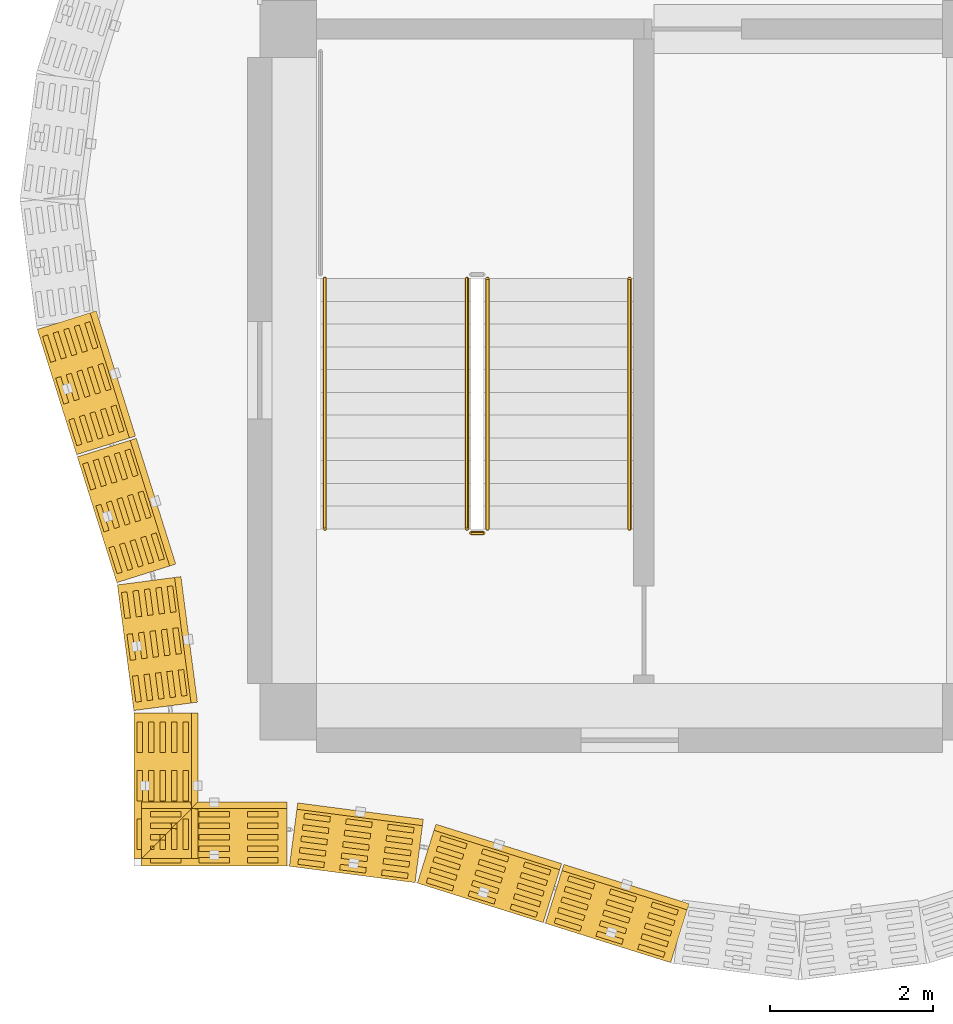
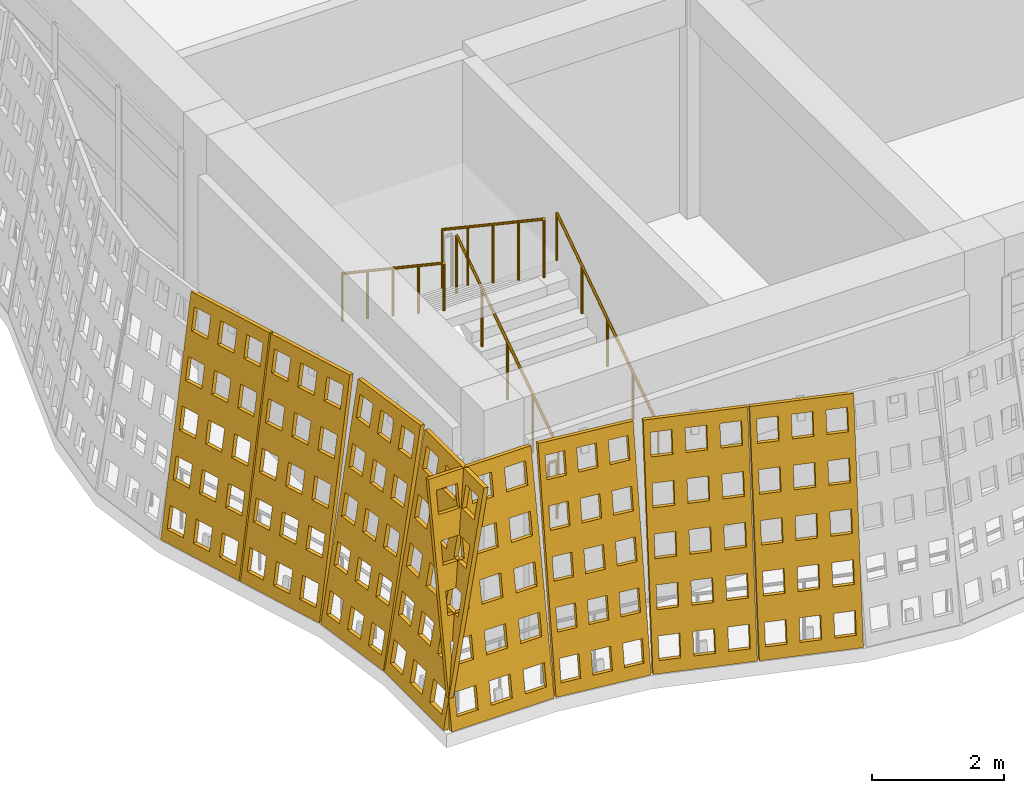
# One storey, part 113 of 162: 8 coverings, 5 railings.
"""IFC4 building model written with IfcOpenShell, lengths in metres."""

from ifc_helpers import new_model, si_unit, direction, frame, origin, origin_2d, place, context, subcontext, project, spatial, polyline, circle, outline, extrude, material, layer, layer_set, type_object, element, save


model = new_model("IFC4")

# Units and contexts
model_context = context("Model", 3, precision=1e-05, world=origin(), true_north=direction((0.0, 1.0)))
body_context = subcontext(model_context, "Body", "Model", "MODEL_VIEW")
ifc_project = project(units=[si_unit("LENGTHUNIT", "METRE"), si_unit("AREAUNIT", "SQUARE_METRE"), si_unit("VOLUMEUNIT", "CUBIC_METRE"), si_unit("PLANEANGLEUNIT", "RADIAN"), si_unit("MASSUNIT", "GRAM", prefix="KILO")], contexts=[model_context])

# Site, building, storey
site_placement = place(None, origin())
site = spatial("IfcSite", under=ifc_project, at=site_placement, CompositionType="ELEMENT")
building_placement = place(site_placement, origin())
building = spatial("IfcBuilding", under=site, at=building_placement, Name="Rain Tree Exposition and Congress Centre", CompositionType="ELEMENT")
storey_placement = place(building_placement, frame((0.0, 0.0, 6.0)))
storey = spatial("IfcBuildingStorey", under=building, at=storey_placement, Name="L01", CompositionType="ELEMENT", Elevation=6.0)

# Coverings
ifc_material_1 = material(Name="Perforated terracotta", Category="masonry")
ifc_layer = layer(ifc_material_1, 0.080078125)
ifc_layer_set = layer_set([ifc_layer], Name="Perforated terracotta")
covering_type = type_object("IfcCoveringType", Name="Terracotta screen 80", PredefinedType="CLADDING", material=ifc_layer_set)
covering_1_placement = place(storey_placement, frame((0.000244140625, -1.898193359375, 0.01318359375), z_axis=(0.127967328105, 0.978036007662, -0.16452942185), x_axis=(-0.991548658387, 0.129735338481, 0.0)))
element("IfcCovering", 1, at=covering_1_placement, inside=storey, type_object=covering_type, Name="wing/screen/L01/001", PredefinedType="CLADDING", context=body_context, shape_type="SweptSolid", body=[
    extrude(outline(polyline([(-1.5732421875, 0.0), (-1.5732421875, 4.295166015625), (-0.014892578125, 4.295166015625), (-0.014892578125, 0.0), (-1.5732421875, 0.0)]), holes=[polyline([(-0.11376953125, 0.2216796875), (-0.11376953125, 0.63720703125), (-0.435791015625, 0.63720703125), (-0.435791015625, 0.2216796875), (-0.11376953125, 0.2216796875)]), polyline([(-0.11376953125, 1.080810546875), (-0.11376953125, 1.496337890625), (-0.435791015625, 1.496337890625), (-0.435791015625, 1.080810546875), (-0.11376953125, 1.080810546875)]), polyline([(-0.11376953125, 1.939697265625), (-0.11376953125, 2.35546875), (-0.435791015625, 2.35546875), (-0.435791015625, 1.939697265625), (-0.11376953125, 1.939697265625)]), polyline([(-0.11376953125, 2.798583984375), (-0.11376953125, 3.21435546875), (-0.435791015625, 3.21435546875), (-0.435791015625, 2.798583984375), (-0.11376953125, 2.798583984375)]), polyline([(-0.11376953125, 3.65771484375), (-0.11376953125, 4.073486328125), (-0.435791015625, 4.073486328125), (-0.435791015625, 3.65771484375), (-0.11376953125, 3.65771484375)]), polyline([(-0.633056640625, 0.2216796875), (-0.633056640625, 0.63720703125), (-0.955078125, 0.63720703125), (-0.955078125, 0.2216796875), (-0.633056640625, 0.2216796875)]), polyline([(-0.633056640625, 1.080810546875), (-0.633056640625, 1.496337890625), (-0.955078125, 1.496337890625), (-0.955078125, 1.080810546875), (-0.633056640625, 1.080810546875)]), polyline([(-0.633056640625, 1.939697265625), (-0.633056640625, 2.35546875), (-0.955078125, 2.35546875), (-0.955078125, 1.939697265625), (-0.633056640625, 1.939697265625)]), polyline([(-0.633056640625, 2.798583984375), (-0.633056640625, 3.21435546875), (-0.955078125, 3.21435546875), (-0.955078125, 2.798583984375), (-0.633056640625, 2.798583984375)]), polyline([(-0.633056640625, 3.65771484375), (-0.633056640625, 4.073486328125), (-0.955078125, 4.073486328125), (-0.955078125, 3.65771484375), (-0.633056640625, 3.65771484375)]), polyline([(-1.152587890625, 0.2216796875), (-1.152587890625, 0.63720703125), (-1.474609375, 0.63720703125), (-1.474609375, 0.2216796875), (-1.152587890625, 0.2216796875)]), polyline([(-1.152587890625, 1.080810546875), (-1.152587890625, 1.496337890625), (-1.474609375, 1.496337890625), (-1.474609375, 1.080810546875), (-1.152587890625, 1.080810546875)]), polyline([(-1.152587890625, 1.939697265625), (-1.152587890625, 2.35546875), (-1.474609375, 2.35546875), (-1.474609375, 1.939697265625), (-1.152587890625, 1.939697265625)]), polyline([(-1.152587890625, 2.798583984375), (-1.152587890625, 3.21435546875), (-1.474609375, 3.21435546875), (-1.474609375, 2.798583984375), (-1.152587890625, 2.798583984375)]), polyline([(-1.152587890625, 3.65771484375), (-1.152587890625, 4.073486328125), (-1.474609375, 4.073486328125), (-1.474609375, 3.65771484375), (-1.152587890625, 3.65771484375)])]), origin(), (0.0, 0.0, 1.0), 0.080078125),
])
covering_2_placement = place(storey_placement, frame((1.57568359375, -2.103515625, 0.0126953125), z_axis=(0.295717964052, 0.942029390639, -0.158529217842), x_axis=(-0.954094597562, 0.29950542383, 0.0)))
element("IfcCovering", 2, at=covering_2_placement, inside=storey, type_object=covering_type, Name="wing/screen/L01/002", PredefinedType="CLADDING", context=body_context, shape_type="SweptSolid", body=[
    extrude(outline(polyline([(-1.635986328125, 0.0), (-1.635986328125, 4.291259765625), (-0.014892578125, 4.291259765625), (-0.014892578125, 0.0), (-1.635986328125, 0.0)]), holes=[polyline([(-0.11767578125, 0.221435546875), (-0.11767578125, 0.63671875), (-0.45263671875, 0.63671875), (-0.45263671875, 0.221435546875), (-0.11767578125, 0.221435546875)]), polyline([(-0.11767578125, 1.07958984375), (-0.11767578125, 1.4951171875), (-0.45263671875, 1.4951171875), (-0.45263671875, 1.07958984375), (-0.11767578125, 1.07958984375)]), polyline([(-0.11767578125, 1.93798828125), (-0.11767578125, 2.353271484375), (-0.45263671875, 2.353271484375), (-0.45263671875, 1.93798828125), (-0.11767578125, 1.93798828125)]), polyline([(-0.11767578125, 2.796142578125), (-0.11767578125, 3.21142578125), (-0.45263671875, 3.21142578125), (-0.45263671875, 2.796142578125), (-0.11767578125, 2.796142578125)]), polyline([(-0.11767578125, 3.654541015625), (-0.11767578125, 4.06982421875), (-0.45263671875, 4.06982421875), (-0.45263671875, 3.654541015625), (-0.11767578125, 3.654541015625)]), polyline([(-0.657958984375, 0.221435546875), (-0.657958984375, 0.63671875), (-0.992919921875, 0.63671875), (-0.992919921875, 0.221435546875), (-0.657958984375, 0.221435546875)]), polyline([(-0.657958984375, 1.07958984375), (-0.657958984375, 1.4951171875), (-0.992919921875, 1.4951171875), (-0.992919921875, 1.07958984375), (-0.657958984375, 1.07958984375)]), polyline([(-0.657958984375, 1.93798828125), (-0.657958984375, 2.353271484375), (-0.992919921875, 2.353271484375), (-0.992919921875, 1.93798828125), (-0.657958984375, 1.93798828125)]), polyline([(-0.657958984375, 2.796142578125), (-0.657958984375, 3.21142578125), (-0.992919921875, 3.21142578125), (-0.992919921875, 2.796142578125), (-0.657958984375, 2.796142578125)]), polyline([(-0.657958984375, 3.654541015625), (-0.657958984375, 4.06982421875), (-0.992919921875, 4.06982421875), (-0.992919921875, 3.654541015625), (-0.657958984375, 3.654541015625)]), polyline([(-1.1982421875, 0.221435546875), (-1.1982421875, 0.63671875), (-1.533203125, 0.63671875), (-1.533203125, 0.221435546875), (-1.1982421875, 0.221435546875)]), polyline([(-1.1982421875, 1.07958984375), (-1.1982421875, 1.4951171875), (-1.533203125, 1.4951171875), (-1.533203125, 1.07958984375), (-1.1982421875, 1.07958984375)]), polyline([(-1.1982421875, 1.93798828125), (-1.1982421875, 2.353271484375), (-1.533203125, 2.353271484375), (-1.533203125, 1.93798828125), (-1.1982421875, 1.93798828125)]), polyline([(-1.1982421875, 2.796142578125), (-1.1982421875, 3.21142578125), (-1.533203125, 3.21142578125), (-1.533203125, 2.796142578125), (-1.1982421875, 2.796142578125)]), polyline([(-1.1982421875, 3.654541015625), (-1.1982421875, 4.06982421875), (-1.533203125, 4.06982421875), (-1.533203125, 3.654541015625), (-1.1982421875, 3.654541015625)])]), origin(), (0.0, 0.0, 1.0), 0.080078125),
])
covering_3_placement = place(storey_placement, frame((3.150634765625, -2.598388671875, 0.0126953125), z_axis=(0.295717964052, 0.942029390639, -0.158529217842), x_axis=(-0.954094597562, 0.29950542383, 0.0)))
element("IfcCovering", 3, at=covering_3_placement, inside=storey, type_object=covering_type, Name="wing/screen/L01/003", PredefinedType="CLADDING", context=body_context, shape_type="SweptSolid", body=[
    extrude(outline(polyline([(-1.62890625, 0.0), (-1.62890625, 4.291259765625), (-0.014892578125, 4.291259765625), (-0.014892578125, 0.0), (-1.62890625, 0.0)]), holes=[polyline([(-0.1171875, 0.221435546875), (-0.1171875, 0.63671875), (-0.45068359375, 0.63671875), (-0.45068359375, 0.221435546875), (-0.1171875, 0.221435546875)]), polyline([(-0.1171875, 1.07958984375), (-0.1171875, 1.4951171875), (-0.45068359375, 1.4951171875), (-0.45068359375, 1.07958984375), (-0.1171875, 1.07958984375)]), polyline([(-0.1171875, 1.93798828125), (-0.1171875, 2.353271484375), (-0.45068359375, 2.353271484375), (-0.45068359375, 1.93798828125), (-0.1171875, 1.93798828125)]), polyline([(-0.1171875, 2.796142578125), (-0.1171875, 3.21142578125), (-0.45068359375, 3.21142578125), (-0.45068359375, 2.796142578125), (-0.1171875, 2.796142578125)]), polyline([(-0.1171875, 3.654541015625), (-0.1171875, 4.06982421875), (-0.45068359375, 4.06982421875), (-0.45068359375, 3.654541015625), (-0.1171875, 3.654541015625)]), polyline([(-0.6552734375, 0.221435546875), (-0.6552734375, 0.63671875), (-0.98876953125, 0.63671875), (-0.98876953125, 0.221435546875), (-0.6552734375, 0.221435546875)]), polyline([(-0.6552734375, 1.07958984375), (-0.6552734375, 1.4951171875), (-0.98876953125, 1.4951171875), (-0.98876953125, 1.07958984375), (-0.6552734375, 1.07958984375)]), polyline([(-0.6552734375, 1.93798828125), (-0.6552734375, 2.353271484375), (-0.98876953125, 2.353271484375), (-0.98876953125, 1.93798828125), (-0.6552734375, 1.93798828125)]), polyline([(-0.6552734375, 2.796142578125), (-0.6552734375, 3.21142578125), (-0.98876953125, 3.21142578125), (-0.98876953125, 2.796142578125), (-0.6552734375, 2.796142578125)]), polyline([(-0.6552734375, 3.654541015625), (-0.6552734375, 4.06982421875), (-0.98876953125, 4.06982421875), (-0.98876953125, 3.654541015625), (-0.6552734375, 3.654541015625)]), polyline([(-1.193115234375, 0.221435546875), (-1.193115234375, 0.63671875), (-1.526611328125, 0.63671875), (-1.526611328125, 0.221435546875), (-1.193115234375, 0.221435546875)]), polyline([(-1.193115234375, 1.07958984375), (-1.193115234375, 1.4951171875), (-1.526611328125, 1.4951171875), (-1.526611328125, 1.07958984375), (-1.193115234375, 1.07958984375)]), polyline([(-1.193115234375, 1.93798828125), (-1.193115234375, 2.353271484375), (-1.526611328125, 2.353271484375), (-1.526611328125, 1.93798828125), (-1.193115234375, 1.93798828125)]), polyline([(-1.193115234375, 2.796142578125), (-1.193115234375, 3.21142578125), (-1.526611328125, 3.21142578125), (-1.526611328125, 2.796142578125), (-1.193115234375, 2.796142578125)]), polyline([(-1.193115234375, 3.654541015625), (-1.193115234375, 4.06982421875), (-1.526611328125, 4.06982421875), (-1.526611328125, 3.654541015625), (-1.193115234375, 3.654541015625)])]), origin(), (0.0, 0.0, 1.0), 0.080078125),
])
covering_4_placement = place(storey_placement, frame((-3.093505859375, 4.7255859375, 0.0126953125), z_axis=(0.942029390639, 0.295717964052, -0.158529217842), x_axis=(-0.29950542383, 0.954094597562, 0.0)))
element("IfcCovering", 4, at=covering_4_placement, inside=storey, type_object=covering_type, Name="wing/screen/L01/132", PredefinedType="CLADDING", context=body_context, shape_type="SweptSolid", body=[
    extrude(outline(polyline([(-1.635986328125, 0.0), (-1.635986328125, 4.291259765625), (-0.02197265625, 4.291259765625), (-0.02197265625, 0.0), (-1.635986328125, 0.0)]), holes=[polyline([(-0.124267578125, 0.221435546875), (-0.124267578125, 0.63671875), (-0.457763671875, 0.63671875), (-0.457763671875, 0.221435546875), (-0.124267578125, 0.221435546875)]), polyline([(-0.124267578125, 1.07958984375), (-0.124267578125, 1.4951171875), (-0.457763671875, 1.4951171875), (-0.457763671875, 1.07958984375), (-0.124267578125, 1.07958984375)]), polyline([(-0.124267578125, 1.93798828125), (-0.124267578125, 2.353271484375), (-0.457763671875, 2.353271484375), (-0.457763671875, 1.93798828125), (-0.124267578125, 1.93798828125)]), polyline([(-0.124267578125, 2.796142578125), (-0.124267578125, 3.21142578125), (-0.457763671875, 3.21142578125), (-0.457763671875, 2.796142578125), (-0.124267578125, 2.796142578125)]), polyline([(-0.124267578125, 3.654541015625), (-0.124267578125, 4.06982421875), (-0.457763671875, 4.06982421875), (-0.457763671875, 3.654541015625), (-0.124267578125, 3.654541015625)]), polyline([(-0.662109375, 0.221435546875), (-0.662109375, 0.63671875), (-0.995849609375, 0.63671875), (-0.995849609375, 0.221435546875), (-0.662109375, 0.221435546875)]), polyline([(-0.662109375, 1.07958984375), (-0.662109375, 1.4951171875), (-0.995849609375, 1.4951171875), (-0.995849609375, 1.07958984375), (-0.662109375, 1.07958984375)]), polyline([(-0.662109375, 1.93798828125), (-0.662109375, 2.353271484375), (-0.995849609375, 2.353271484375), (-0.995849609375, 1.93798828125), (-0.662109375, 1.93798828125)]), polyline([(-0.662109375, 2.796142578125), (-0.662109375, 3.21142578125), (-0.995849609375, 3.21142578125), (-0.995849609375, 2.796142578125), (-0.662109375, 2.796142578125)]), polyline([(-0.662109375, 3.654541015625), (-0.662109375, 4.06982421875), (-0.995849609375, 4.06982421875), (-0.995849609375, 3.654541015625), (-0.662109375, 3.654541015625)]), polyline([(-1.2001953125, 0.221435546875), (-1.2001953125, 0.63671875), (-1.53369140625, 0.63671875), (-1.53369140625, 0.221435546875), (-1.2001953125, 0.221435546875)]), polyline([(-1.2001953125, 1.07958984375), (-1.2001953125, 1.4951171875), (-1.53369140625, 1.4951171875), (-1.53369140625, 1.07958984375), (-1.2001953125, 1.07958984375)]), polyline([(-1.2001953125, 1.93798828125), (-1.2001953125, 2.353271484375), (-1.53369140625, 2.353271484375), (-1.53369140625, 1.93798828125), (-1.2001953125, 1.93798828125)]), polyline([(-1.2001953125, 2.796142578125), (-1.2001953125, 3.21142578125), (-1.53369140625, 3.21142578125), (-1.53369140625, 2.796142578125), (-1.2001953125, 2.796142578125)]), polyline([(-1.2001953125, 3.654541015625), (-1.2001953125, 4.06982421875), (-1.53369140625, 4.06982421875), (-1.53369140625, 3.654541015625), (-1.2001953125, 3.654541015625)])]), origin(), (0.0, 0.0, 1.0), 0.080078125),
])
covering_5_placement = place(storey_placement, frame((-2.598388671875, 3.150634765625, 0.0126953125), z_axis=(0.942029390639, 0.295717964052, -0.158529217842), x_axis=(-0.29950542383, 0.954094597562, 0.0)))
element("IfcCovering", 5, at=covering_5_placement, inside=storey, type_object=covering_type, Name="wing/screen/L01/133", PredefinedType="CLADDING", context=body_context, shape_type="SweptSolid", body=[
    extrude(outline(polyline([(-1.635986328125, 0.0), (-1.635986328125, 4.291259765625), (-0.014892578125, 4.291259765625), (-0.014892578125, 0.0), (-1.635986328125, 0.0)]), holes=[polyline([(-0.11767578125, 0.221435546875), (-0.11767578125, 0.63671875), (-0.45263671875, 0.63671875), (-0.45263671875, 0.221435546875), (-0.11767578125, 0.221435546875)]), polyline([(-0.11767578125, 1.07958984375), (-0.11767578125, 1.4951171875), (-0.45263671875, 1.4951171875), (-0.45263671875, 1.07958984375), (-0.11767578125, 1.07958984375)]), polyline([(-0.11767578125, 1.93798828125), (-0.11767578125, 2.353271484375), (-0.45263671875, 2.353271484375), (-0.45263671875, 1.93798828125), (-0.11767578125, 1.93798828125)]), polyline([(-0.11767578125, 2.796142578125), (-0.11767578125, 3.21142578125), (-0.45263671875, 3.21142578125), (-0.45263671875, 2.796142578125), (-0.11767578125, 2.796142578125)]), polyline([(-0.11767578125, 3.654541015625), (-0.11767578125, 4.06982421875), (-0.45263671875, 4.06982421875), (-0.45263671875, 3.654541015625), (-0.11767578125, 3.654541015625)]), polyline([(-0.657958984375, 0.221435546875), (-0.657958984375, 0.63671875), (-0.992919921875, 0.63671875), (-0.992919921875, 0.221435546875), (-0.657958984375, 0.221435546875)]), polyline([(-0.657958984375, 1.07958984375), (-0.657958984375, 1.4951171875), (-0.992919921875, 1.4951171875), (-0.992919921875, 1.07958984375), (-0.657958984375, 1.07958984375)]), polyline([(-0.657958984375, 1.93798828125), (-0.657958984375, 2.353271484375), (-0.992919921875, 2.353271484375), (-0.992919921875, 1.93798828125), (-0.657958984375, 1.93798828125)]), polyline([(-0.657958984375, 2.796142578125), (-0.657958984375, 3.21142578125), (-0.992919921875, 3.21142578125), (-0.992919921875, 2.796142578125), (-0.657958984375, 2.796142578125)]), polyline([(-0.657958984375, 3.654541015625), (-0.657958984375, 4.06982421875), (-0.992919921875, 4.06982421875), (-0.992919921875, 3.654541015625), (-0.657958984375, 3.654541015625)]), polyline([(-1.1982421875, 0.221435546875), (-1.1982421875, 0.63671875), (-1.533203125, 0.63671875), (-1.533203125, 0.221435546875), (-1.1982421875, 0.221435546875)]), polyline([(-1.1982421875, 1.07958984375), (-1.1982421875, 1.4951171875), (-1.533203125, 1.4951171875), (-1.533203125, 1.07958984375), (-1.1982421875, 1.07958984375)]), polyline([(-1.1982421875, 1.93798828125), (-1.1982421875, 2.353271484375), (-1.533203125, 2.353271484375), (-1.533203125, 1.93798828125), (-1.1982421875, 1.93798828125)]), polyline([(-1.1982421875, 2.796142578125), (-1.1982421875, 3.21142578125), (-1.533203125, 3.21142578125), (-1.533203125, 2.796142578125), (-1.1982421875, 2.796142578125)]), polyline([(-1.1982421875, 3.654541015625), (-1.1982421875, 4.06982421875), (-1.533203125, 4.06982421875), (-1.533203125, 3.654541015625), (-1.1982421875, 3.654541015625)])]), origin(), (0.0, 0.0, 1.0), 0.080078125),
])
covering_6_placement = place(storey_placement, frame((-2.10302734375, 1.5751953125, 0.01318359375), z_axis=(0.9779030419, 0.128349774249, -0.165021138321), x_axis=(-0.130133906157, 0.991496427865, 0.0)))
element("IfcCovering", 6, at=covering_6_placement, inside=storey, type_object=covering_type, Name="wing/screen/L01/134", PredefinedType="CLADDING", context=body_context, shape_type="SweptSolid", body=[
    extrude(outline(polyline([(-1.5732421875, 0.0), (-1.5732421875, 4.295166015625), (-0.014892578125, 4.295166015625), (-0.014892578125, 0.0), (-1.5732421875, 0.0)]), holes=[polyline([(-0.11376953125, 0.2216796875), (-0.11376953125, 0.63720703125), (-0.435791015625, 0.63720703125), (-0.435791015625, 0.2216796875), (-0.11376953125, 0.2216796875)]), polyline([(-0.11376953125, 1.080810546875), (-0.11376953125, 1.496337890625), (-0.435791015625, 1.496337890625), (-0.435791015625, 1.080810546875), (-0.11376953125, 1.080810546875)]), polyline([(-0.11376953125, 1.939697265625), (-0.11376953125, 2.35546875), (-0.435791015625, 2.35546875), (-0.435791015625, 1.939697265625), (-0.11376953125, 1.939697265625)]), polyline([(-0.11376953125, 2.798583984375), (-0.11376953125, 3.21435546875), (-0.435791015625, 3.21435546875), (-0.435791015625, 2.798583984375), (-0.11376953125, 2.798583984375)]), polyline([(-0.11376953125, 3.65771484375), (-0.11376953125, 4.073486328125), (-0.435791015625, 4.073486328125), (-0.435791015625, 3.65771484375), (-0.11376953125, 3.65771484375)]), polyline([(-0.633056640625, 0.2216796875), (-0.633056640625, 0.63720703125), (-0.955078125, 0.63720703125), (-0.955078125, 0.2216796875), (-0.633056640625, 0.2216796875)]), polyline([(-0.633056640625, 1.080810546875), (-0.633056640625, 1.496337890625), (-0.955078125, 1.496337890625), (-0.955078125, 1.080810546875), (-0.633056640625, 1.080810546875)]), polyline([(-0.633056640625, 1.939697265625), (-0.633056640625, 2.35546875), (-0.955078125, 2.35546875), (-0.955078125, 1.939697265625), (-0.633056640625, 1.939697265625)]), polyline([(-0.633056640625, 2.798583984375), (-0.633056640625, 3.21435546875), (-0.955078125, 3.21435546875), (-0.955078125, 2.798583984375), (-0.633056640625, 2.798583984375)]), polyline([(-0.633056640625, 3.65771484375), (-0.633056640625, 4.073486328125), (-0.955078125, 4.073486328125), (-0.955078125, 3.65771484375), (-0.633056640625, 3.65771484375)]), polyline([(-1.152587890625, 0.2216796875), (-1.152587890625, 0.63720703125), (-1.474609375, 0.63720703125), (-1.474609375, 0.2216796875), (-1.152587890625, 0.2216796875)]), polyline([(-1.152587890625, 1.080810546875), (-1.152587890625, 1.496337890625), (-1.474609375, 1.496337890625), (-1.474609375, 1.080810546875), (-1.152587890625, 1.080810546875)]), polyline([(-1.152587890625, 1.939697265625), (-1.152587890625, 2.35546875), (-1.474609375, 2.35546875), (-1.474609375, 1.939697265625), (-1.152587890625, 1.939697265625)]), polyline([(-1.152587890625, 2.798583984375), (-1.152587890625, 3.21435546875), (-1.474609375, 3.21435546875), (-1.474609375, 2.798583984375), (-1.152587890625, 2.798583984375)]), polyline([(-1.152587890625, 3.65771484375), (-1.152587890625, 4.073486328125), (-1.474609375, 4.073486328125), (-1.474609375, 3.65771484375), (-1.152587890625, 3.65771484375)])]), origin(), (0.0, 0.0, 1.0), 0.079833984375),
])
covering_7_placement = place(storey_placement, frame((-1.898193359375, 0.0, 0.01318359375), z_axis=(0.986393923832, 0.0, -0.164398987305), x_axis=(0.0, 1.0, 0.0)))
element("IfcCovering", 7, at=covering_7_placement, inside=storey, type_object=covering_type, Name="wing/screen/L01/135", PredefinedType="CLADDING", context=body_context, shape_type="SweptSolid", body=[
    extrude(outline(polyline([(-1.805419921875, 0.0), (-1.805419921875, 4.2958984375), (-0.014892578125, 4.2958984375), (-0.014892578125, 0.0), (-1.805419921875, 0.0)]), holes=[polyline([(-0.12841796875, 0.2216796875), (-0.12841796875, 0.637451171875), (-0.498291015625, 0.637451171875), (-0.498291015625, 0.2216796875), (-0.12841796875, 0.2216796875)]), polyline([(-0.12841796875, 1.080810546875), (-0.12841796875, 1.49658203125), (-0.498291015625, 1.49658203125), (-0.498291015625, 1.080810546875), (-0.12841796875, 1.080810546875)]), polyline([(-0.12841796875, 1.940185546875), (-0.12841796875, 2.355712890625), (-0.498291015625, 2.355712890625), (-0.498291015625, 1.940185546875), (-0.12841796875, 1.940185546875)]), polyline([(-0.12841796875, 2.79931640625), (-0.12841796875, 3.215087890625), (-0.498291015625, 3.215087890625), (-0.498291015625, 2.79931640625), (-0.12841796875, 2.79931640625)]), polyline([(-0.12841796875, 3.658447265625), (-0.12841796875, 4.07421875), (-0.498291015625, 4.07421875), (-0.498291015625, 3.658447265625), (-0.12841796875, 3.658447265625)]), polyline([(-0.72509765625, 0.2216796875), (-0.72509765625, 0.637451171875), (-1.09521484375, 0.637451171875), (-1.09521484375, 0.2216796875), (-0.72509765625, 0.2216796875)]), polyline([(-0.72509765625, 1.080810546875), (-0.72509765625, 1.49658203125), (-1.09521484375, 1.49658203125), (-1.09521484375, 1.080810546875), (-0.72509765625, 1.080810546875)]), polyline([(-0.72509765625, 1.940185546875), (-0.72509765625, 2.355712890625), (-1.09521484375, 2.355712890625), (-1.09521484375, 1.940185546875), (-0.72509765625, 1.940185546875)]), polyline([(-0.72509765625, 2.79931640625), (-0.72509765625, 3.215087890625), (-1.09521484375, 3.215087890625), (-1.09521484375, 2.79931640625), (-0.72509765625, 2.79931640625)]), polyline([(-0.72509765625, 3.658447265625), (-0.72509765625, 4.07421875), (-1.09521484375, 4.07421875), (-1.09521484375, 3.658447265625), (-0.72509765625, 3.658447265625)]), polyline([(-1.322021484375, 0.2216796875), (-1.322021484375, 0.637451171875), (-1.69189453125, 0.637451171875), (-1.69189453125, 0.2216796875), (-1.322021484375, 0.2216796875)]), polyline([(-1.322021484375, 1.080810546875), (-1.322021484375, 1.49658203125), (-1.69189453125, 1.49658203125), (-1.69189453125, 1.080810546875), (-1.322021484375, 1.080810546875)]), polyline([(-1.322021484375, 1.940185546875), (-1.322021484375, 2.355712890625), (-1.69189453125, 2.355712890625), (-1.69189453125, 1.940185546875), (-1.322021484375, 1.940185546875)]), polyline([(-1.322021484375, 2.79931640625), (-1.322021484375, 3.215087890625), (-1.69189453125, 3.215087890625), (-1.69189453125, 2.79931640625), (-1.322021484375, 2.79931640625)]), polyline([(-1.322021484375, 3.658447265625), (-1.322021484375, 4.07421875), (-1.69189453125, 4.07421875), (-1.69189453125, 3.658447265625), (-1.322021484375, 3.658447265625)])]), origin(), (0.0, 0.0, 1.0), 0.080078125),
])
covering_8_placement = place(storey_placement, frame((-1.900390625, -1.898193359375, 0.01318359375), z_axis=(0.0, 0.986393923832, -0.164398987305), x_axis=(-1.0, 0.0, 0.0)))
element("IfcCovering", 8, at=covering_8_placement, inside=storey, type_object=covering_type, Name="wing/screen/L01/136", PredefinedType="CLADDING", context=body_context, shape_type="SweptSolid", body=[
    extrude(outline(polyline([(-1.88525390625, 0.0), (-1.88525390625, 4.2958984375), (-0.094970703125, 4.2958984375), (-0.094970703125, 0.0), (-1.88525390625, 0.0)]), holes=[polyline([(-0.20849609375, 0.2216796875), (-0.20849609375, 0.637451171875), (-0.578369140625, 0.637451171875), (-0.578369140625, 0.2216796875), (-0.20849609375, 0.2216796875)]), polyline([(-0.20849609375, 1.080810546875), (-0.20849609375, 1.49658203125), (-0.578369140625, 1.49658203125), (-0.578369140625, 1.080810546875), (-0.20849609375, 1.080810546875)]), polyline([(-0.20849609375, 1.940185546875), (-0.20849609375, 2.355712890625), (-0.578369140625, 2.355712890625), (-0.578369140625, 1.940185546875), (-0.20849609375, 1.940185546875)]), polyline([(-0.20849609375, 2.79931640625), (-0.20849609375, 3.215087890625), (-0.578369140625, 3.215087890625), (-0.578369140625, 2.79931640625), (-0.20849609375, 2.79931640625)]), polyline([(-0.20849609375, 3.658447265625), (-0.20849609375, 4.07421875), (-0.578369140625, 4.07421875), (-0.578369140625, 3.658447265625), (-0.20849609375, 3.658447265625)]), polyline([(-0.80517578125, 0.2216796875), (-0.80517578125, 0.637451171875), (-1.175048828125, 0.637451171875), (-1.175048828125, 0.2216796875), (-0.80517578125, 0.2216796875)]), polyline([(-0.80517578125, 1.080810546875), (-0.80517578125, 1.49658203125), (-1.175048828125, 1.49658203125), (-1.175048828125, 1.080810546875), (-0.80517578125, 1.080810546875)]), polyline([(-0.80517578125, 1.940185546875), (-0.80517578125, 2.355712890625), (-1.175048828125, 2.355712890625), (-1.175048828125, 1.940185546875), (-0.80517578125, 1.940185546875)]), polyline([(-0.80517578125, 2.79931640625), (-0.80517578125, 3.215087890625), (-1.175048828125, 3.215087890625), (-1.175048828125, 2.79931640625), (-0.80517578125, 2.79931640625)]), polyline([(-0.80517578125, 3.658447265625), (-0.80517578125, 4.07421875), (-1.175048828125, 4.07421875), (-1.175048828125, 3.658447265625), (-0.80517578125, 3.658447265625)]), polyline([(-1.40185546875, 0.2216796875), (-1.40185546875, 0.637451171875), (-1.77197265625, 0.637451171875), (-1.77197265625, 0.2216796875), (-1.40185546875, 0.2216796875)]), polyline([(-1.40185546875, 1.080810546875), (-1.40185546875, 1.49658203125), (-1.77197265625, 1.49658203125), (-1.77197265625, 1.080810546875), (-1.40185546875, 1.080810546875)]), polyline([(-1.40185546875, 1.940185546875), (-1.40185546875, 2.355712890625), (-1.77197265625, 2.355712890625), (-1.77197265625, 1.940185546875), (-1.40185546875, 1.940185546875)]), polyline([(-1.40185546875, 2.79931640625), (-1.40185546875, 3.215087890625), (-1.77197265625, 3.215087890625), (-1.77197265625, 2.79931640625), (-1.40185546875, 2.79931640625)]), polyline([(-1.40185546875, 3.658447265625), (-1.40185546875, 4.07421875), (-1.77197265625, 4.07421875), (-1.77197265625, 3.658447265625), (-1.40185546875, 3.658447265625)])]), origin(), (0.0, 0.0, 1.0), 0.080078125),
])

# Railings
ifc_material_2 = material(Name="Steel S355J2H", Category="steel")
railing_type_1 = type_object("IfcRailingType", Name="Wing stair guard 1100", PredefinedType="GUARDRAIL", material=ifc_material_2)
railing_1_placement = place(storey_placement, frame((2.449951171875, 2.25, 0.1875)))
element("IfcRailing", 9, at=railing_1_placement, inside=storey, type_object=railing_type_1, Name="L01 ST-W1 stair guard 1", PredefinedType="GUARDRAIL", context=body_context, shape_type="SweptSolid", body=[
    extrude(circle(Radius=0.02392578125, at=origin_2d()), frame((0.0, 0.0, 1.076171875), z_axis=(0.0, 0.830913701846, 0.55640131208), x_axis=(-1.0, 0.0, 0.0)), (0.0, 0.0, 1.0), 3.706787109375),
    extrude(circle(Radius=0.02099609375, at=origin_2d()), origin(), (0.0, 0.0, 1.0), 1.052001953125),
    extrude(circle(Radius=0.02099609375, at=origin_2d()), frame((0.0, 0.77001953125, 0.515625)), (0.0, 0.0, 1.0), 1.052001953125),
    extrude(circle(Radius=0.02099609375, at=origin_2d()), frame((0.0, 1.5400390625, 1.03125)), (0.0, 0.0, 1.0), 1.052001953125),
    extrude(circle(Radius=0.02099609375, at=origin_2d()), frame((0.0, 2.31005859375, 1.546875)), (0.0, 0.0, 1.0), 1.052001953125),
    extrude(circle(Radius=0.02099609375, at=origin_2d()), frame((0.0, 3.080078125, 2.0625)), (0.0, 0.0, 1.0), 1.052001953125),
])
railing_2_placement = place(storey_placement, frame((2.199951171875, 5.330078125, 2.4375)))
element("IfcRailing", 10, at=railing_2_placement, inside=storey, type_object=railing_type_1, Name="L01 ST-W1 stair guard 3", PredefinedType="GUARDRAIL", context=body_context, shape_type="SweptSolid", body=[
    extrude(circle(Radius=0.02392578125, at=origin_2d()), frame((0.0, 0.0, 1.076171875), z_axis=(0.0, -0.830913701846, 0.55640131208), x_axis=(1.0, 0.0, 0.0)), (0.0, 0.0, 1.0), 3.706787109375),
    extrude(circle(Radius=0.02099609375, at=origin_2d()), origin(), (0.0, 0.0, 1.0), 1.052001953125),
    extrude(circle(Radius=0.02099609375, at=origin_2d()), frame((0.0, -0.77001953125, 0.515625)), (0.0, 0.0, 1.0), 1.052001953125),
    extrude(circle(Radius=0.02099609375, at=origin_2d()), frame((0.0, -1.5400390625, 1.03125)), (0.0, 0.0, 1.0), 1.052001953125),
    extrude(circle(Radius=0.02099609375, at=origin_2d()), frame((0.0, -2.31005859375, 1.546875)), (0.0, 0.0, 1.0), 1.052001953125),
    extrude(circle(Radius=0.02099609375, at=origin_2d()), frame((0.0, -3.080078125, 2.0625)), (0.0, 0.0, 1.0), 1.052001953125),
])
railing_3_placement = place(storey_placement, frame((2.39990234375, 2.199951171875, 0.0)))
element("IfcRailing", 11, at=railing_3_placement, inside=storey, type_object=railing_type_1, Name="L01 ST-W1 stair guard 4", PredefinedType="GUARDRAIL", context=body_context, shape_type="SweptSolid", body=[
    extrude(circle(Radius=0.02392578125, at=origin_2d()), frame((0.0, 0.0, 1.076171875), z_axis=(-1.0, 0.0, 0.0), x_axis=(0.0, -1.0, 0.0)), (0.0, 0.0, 1.0), 0.14990234375),
    extrude(circle(Radius=0.02099609375, at=origin_2d()), origin(), (0.0, 0.0, 1.0), 1.052001953125),
    extrude(circle(Radius=0.02099609375, at=origin_2d()), frame((-0.14990234375, 0.0, 0.0)), (0.0, 0.0, 1.0), 1.052001953125),
])
ifc_material_3 = material(Name="Steel S355J2H", Category="steel")
railing_type_2 = type_object("IfcRailingType", Name="Wing stair handrail 900", PredefinedType="HANDRAIL", material=ifc_material_3)
railing_4_placement = place(storey_placement, frame((4.199951171875, 2.25, 0.1875)))
element("IfcRailing", 12, at=railing_4_placement, inside=storey, type_object=railing_type_2, Name="L01 ST-W1 stair handrail 1", PredefinedType="HANDRAIL", context=body_context, shape_type="SweptSolid", body=[
    extrude(circle(Radius=0.02392578125, at=origin_2d()), frame((0.0, 0.0, 0.8759765625), z_axis=(0.0, 0.830913701846, 0.55640131208), x_axis=(-1.0, 0.0, 0.0)), (0.0, 0.0, 1.0), 3.706787109375),
    extrude(circle(Radius=0.02099609375, at=origin_2d()), origin(), (0.0, 0.0, 1.0), 0.851806640625),
    extrude(circle(Radius=0.02099609375, at=origin_2d()), frame((0.0, 0.77001953125, 0.515625)), (0.0, 0.0, 1.0), 0.851806640625),
    extrude(circle(Radius=0.02099609375, at=origin_2d()), frame((0.0, 1.5400390625, 1.03125)), (0.0, 0.0, 1.0), 0.851806640625),
    extrude(circle(Radius=0.02099609375, at=origin_2d()), frame((0.0, 2.31005859375, 1.546875)), (0.0, 0.0, 1.0), 0.851806640625),
    extrude(circle(Radius=0.02099609375, at=origin_2d()), frame((0.0, 3.080078125, 2.0625)), (0.0, 0.0, 1.0), 0.851806640625),
])
railing_5_placement = place(storey_placement, frame((0.449951171875, 5.330078125, 2.4375)))
element("IfcRailing", 13, at=railing_5_placement, inside=storey, type_object=railing_type_2, Name="L01 ST-W1 stair handrail 2", PredefinedType="HANDRAIL", context=body_context, shape_type="SweptSolid", body=[
    extrude(circle(Radius=0.02392578125, at=origin_2d()), frame((0.0, 0.0, 0.8759765625), z_axis=(0.0, -0.830913701846, 0.55640131208), x_axis=(1.0, 0.0, 0.0)), (0.0, 0.0, 1.0), 3.706787109375),
    extrude(circle(Radius=0.02099609375, at=origin_2d()), origin(), (0.0, 0.0, 1.0), 0.851806640625),
    extrude(circle(Radius=0.02099609375, at=origin_2d()), frame((0.0, -0.77001953125, 0.515625)), (0.0, 0.0, 1.0), 0.851806640625),
    extrude(circle(Radius=0.02099609375, at=origin_2d()), frame((0.0, -1.5400390625, 1.03125)), (0.0, 0.0, 1.0), 0.851806640625),
    extrude(circle(Radius=0.02099609375, at=origin_2d()), frame((0.0, -2.31005859375, 1.546875)), (0.0, 0.0, 1.0), 0.851806640625),
    extrude(circle(Radius=0.02099609375, at=origin_2d()), frame((0.0, -3.080078125, 2.0625)), (0.0, 0.0, 1.0), 0.851806640625),
])

save(model, "model.ifc")
